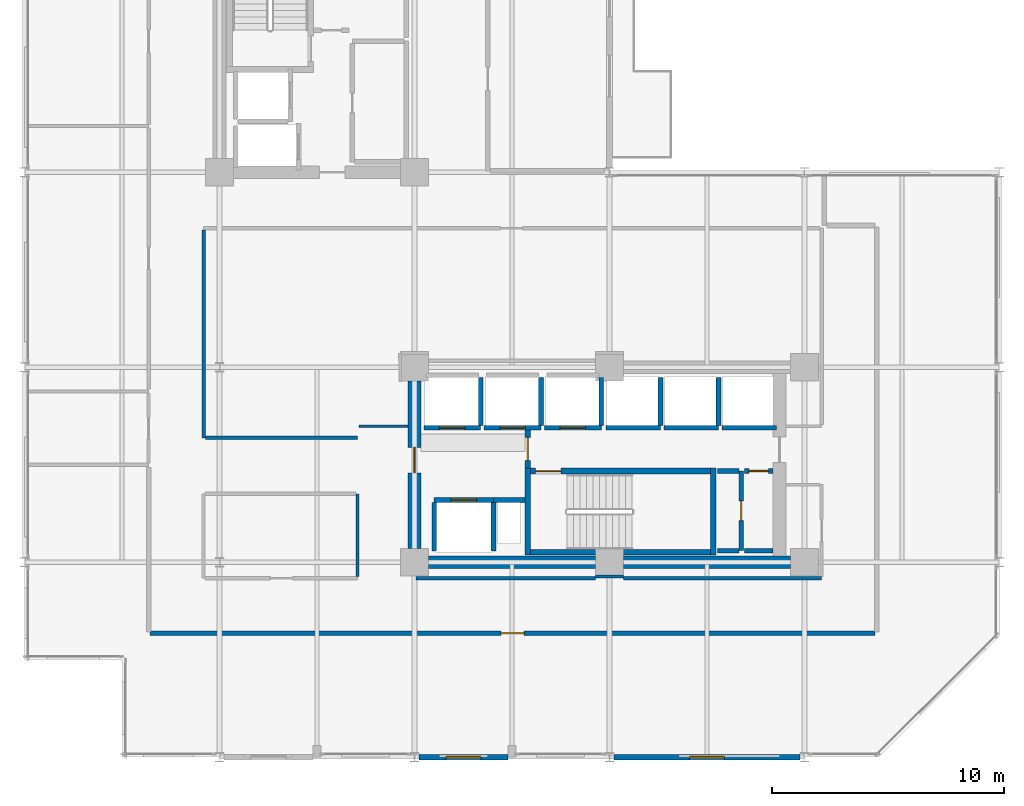
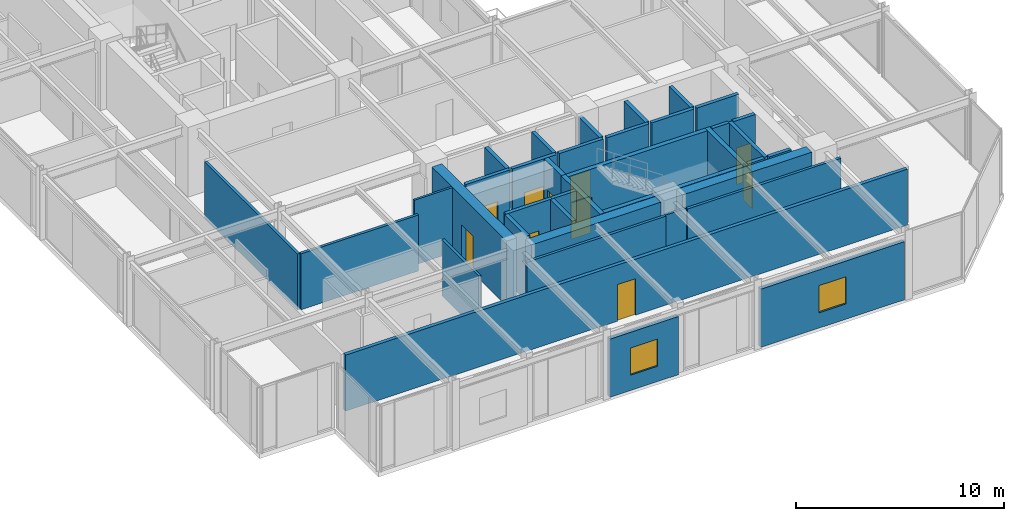
# One storey, part 24 of 29: 38 walls, 10 doors, 2 windows, 12 openings.
"""IFC4 building model written with IfcOpenShell, lengths in metres."""

from ifc_helpers import new_model, si_unit, direction, frame, frame_2d, origin, place, context, subcontext, project, spatial, rectangle, extrude, material, layer, layer_set, type_object, element, fill, save


model = new_model("IFC4")

# Units and contexts
model_context = context("Model", 3, precision=1e-05, world=origin(), true_north=direction((0.0, 1.0)))
body_context = subcontext(model_context, "Body", "Model", "MODEL_VIEW")
ifc_project = project(units=[si_unit("LENGTHUNIT", "METRE"), si_unit("AREAUNIT", "SQUARE_METRE"), si_unit("VOLUMEUNIT", "CUBIC_METRE"), si_unit("PLANEANGLEUNIT", "RADIAN"), si_unit("MASSUNIT", "GRAM", prefix="KILO")], contexts=[model_context])

# Site, building, storey
site_placement = place(None, origin())
site = spatial("IfcSite", under=ifc_project, at=site_placement, CompositionType="ELEMENT")
building_placement = place(site_placement, origin())
building = spatial("IfcBuilding", under=site, at=building_placement, Name="Nerrivon Quay Data Exchange", CompositionType="ELEMENT")
storey_placement = place(building_placement, frame((0.0, 0.0, 133.60009765625)))
storey = spatial("IfcBuildingStorey", under=building, at=storey_placement, Name="L31", CompositionType="ELEMENT", Elevation=133.60009765625)

# Wall, opening, window
ifc_material_1 = material(Name="Architectural terracotta precast concrete N50 (50 MPa)", Category="masonry")
ifc_layer_1 = layer(ifc_material_1, 0.239990234375)
ifc_layer_set_1 = layer_set([ifc_layer_1], Name="Architectural terracotta precast concrete N50 (50 MPa)")
wall_type_1 = type_object("IfcWallType", Name="EW-PREC-240", PredefinedType="STANDARD", material=ifc_layer_set_1)
wall_1_placement = place(storey_placement, frame((33.39990234375, 0.0, 0.0), z_axis=(0.0, 0.0, 1.0), x_axis=(-1.0, 0.0, 0.0)))
wall_1 = element("IfcWall", 1, at=wall_1_placement, inside=storey, type_object=wall_type_1, Name="L31 Podium Precast Spandrel Wall 3", PredefinedType="STANDARD", context=body_context, shape_type="SweptSolid", body=[
    extrude(rectangle(XDim=8.0, YDim=0.239990234375, at=frame_2d((4.0, 0.0))), origin(), (0.0, 0.0, 1.0), 3.421875),
])
opening_1_placement = place(wall_1_placement, frame((3.25, 0.0, 0.89990234375)))
opening_1 = element("IfcOpeningElement", 2, at=opening_1_placement, cuts=wall_1, Name="Opening WN4", PredefinedType="OPENING", context=body_context, shape_type="SweptSolid", body=[
    extrude(rectangle(XDim=1.5, YDim=1.60009765625, at=frame_2d((0.75, 0.800048828125))), frame((0.0, 0.1298828125, 0.0), z_axis=(0.0, -1.0, 0.0), x_axis=(1.0, 0.0, 0.0)), (0.0, 0.0, 1.0), 0.260009765625),
])
ifc_material_2 = material(Name="Double-glazed low-E solar control glass", Category="glass")
window_type = type_object("IfcWindowType", Name="WIN-W4-1500x1600", PartitioningType="SINGLE_PANEL", PredefinedType="WINDOW", material=ifc_material_2)
window_1_placement = place(opening_1_placement, origin())
window_1 = element("IfcWindow", 3, at=window_1_placement, inside=storey, type_object=window_type, Name="L31 Solar Facade Window 3", OverallHeight=1.60009765625, OverallWidth=1.5, PartitioningType="SINGLE_PANEL", PredefinedType="WINDOW", context=body_context, shape_type="SweptSolid", body=[
    extrude(rectangle(XDim=1.5, YDim=1.60009765625, at=frame_2d((0.75, 0.800048828125))), frame((0.0, 0.030029296875, 0.0), z_axis=(0.0, -1.0, 0.0), x_axis=(1.0, 0.0, 0.0)), (0.0, 0.0, 1.0), 0.06005859375),
])
fill(opening_1, window_1)

wall_2_placement = place(storey_placement, frame((20.824951171875, 0.0, 0.0), z_axis=(0.0, 0.0, 1.0), x_axis=(-1.0, 0.0, 0.0)))
wall_2 = element("IfcWall", 4, at=wall_2_placement, inside=storey, type_object=wall_type_1, Name="L31 Podium Precast Spandrel Wall 5", PredefinedType="STANDARD", context=body_context, shape_type="SweptSolid", body=[
    extrude(rectangle(XDim=3.824951171875, YDim=0.239990234375, at=frame_2d((1.91259765625, 0.0))), origin(), (0.0, 0.0, 1.0), 3.421875),
])
opening_2_placement = place(wall_2_placement, frame((1.16259765625, 0.0, 0.89990234375)))
opening_2 = element("IfcOpeningElement", 5, at=opening_2_placement, cuts=wall_2, Name="Opening WN4", PredefinedType="OPENING", context=body_context, shape_type="SweptSolid", body=[
    extrude(rectangle(XDim=1.5, YDim=1.60009765625, at=frame_2d((0.75, 0.800048828125))), frame((0.0, 0.1298828125, 0.0), z_axis=(0.0, -1.0, 0.0), x_axis=(1.0, 0.0, 0.0)), (0.0, 0.0, 1.0), 0.260009765625),
])
window_2_placement = place(opening_2_placement, origin())
window_2 = element("IfcWindow", 6, at=window_2_placement, inside=storey, type_object=window_type, Name="L31 Solar Facade Window 5", OverallHeight=1.60009765625, OverallWidth=1.5, PartitioningType="SINGLE_PANEL", PredefinedType="WINDOW", context=body_context, shape_type="SweptSolid", body=[
    extrude(rectangle(XDim=1.5, YDim=1.60009765625, at=frame_2d((0.75, 0.800048828125))), frame((0.0, 0.030029296875, 0.0), z_axis=(0.0, -1.0, 0.0), x_axis=(1.0, 0.0, 0.0)), (0.0, 0.0, 1.0), 0.06005859375),
])
fill(opening_2, window_2)

# Walls
ifc_material_3 = material(Name="Concrete S65 (65 MPa)", Category="concrete")
ifc_layer_2 = layer(ifc_material_3, 0.550048828125)
ifc_layer_set_2 = layer_set([ifc_layer_2], Name="Concrete S65 (65 MPa)")
wall_type_2 = type_object("IfcWallType", Name="WALL-CW-700", PredefinedType="SHEAR", material=ifc_layer_set_2)
wall_3_placement = place(storey_placement, frame((17.39990234375, 8.39990234375, 0.0), z_axis=(0.0, 0.0, 1.0), x_axis=(1.0, 0.0, 0.0)))
element("IfcWall", 7, at=wall_3_placement, inside=storey, type_object=wall_type_2, Name="L31 East Split-Core Shear Wall ECW-S1", PredefinedType="SHEAR", context=body_context, shape_type="SweptSolid", body=[
    extrude(rectangle(XDim=7.2001953125, YDim=0.550048828125, at=frame_2d((3.60009765625, 0.0))), origin(), (0.0, 0.0, 1.0), 3.824951171875),
])
wall_4_placement = place(storey_placement, frame((25.800048828125, 8.39990234375, 0.0), z_axis=(0.0, 0.0, 1.0), x_axis=(1.0, 0.0, 0.0)))
element("IfcWall", 8, at=wall_4_placement, inside=storey, type_object=wall_type_2, Name="L31 East Split-Core Shear Wall ECW-S2", PredefinedType="SHEAR", context=body_context, shape_type="SweptSolid", body=[
    extrude(rectangle(XDim=7.199951171875, YDim=0.550048828125, at=frame_2d((3.60009765625, 0.0))), origin(), (0.0, 0.0, 1.0), 3.824951171875),
])

# Wall, opening, door
wall_5_placement = place(storey_placement, frame((16.800048828125, 9.0, 0.0), z_axis=(0.0, 0.0, 1.0), x_axis=(0.0, 1.0, 0.0)))
wall_5 = element("IfcWall", 9, at=wall_5_placement, inside=storey, type_object=wall_type_2, Name="L31 East Split-Core Shear Wall ECW-W1", PredefinedType="SHEAR", context=body_context, shape_type="SweptSolid", body=[
    extrude(rectangle(XDim=7.199951171875, YDim=0.550048828125, at=frame_2d((3.60009765625, 0.0))), origin(), (0.0, 0.0, 1.0), 3.824951171875),
])
opening_3_placement = place(wall_5_placement, frame((3.25, 0.0, 0.0)))
opening_3 = element("IfcOpeningElement", 10, at=opening_3_placement, cuts=wall_5, Name="Opening FD-120", PredefinedType="OPENING", context=body_context, shape_type="SweptSolid", body=[
    extrude(rectangle(XDim=1.10009765625, YDim=2.14990234375, at=frame_2d((0.550048828125, 1.074951171875))), frame((0.0, 0.284912109375, 0.0), z_axis=(0.0, -1.0, 0.0), x_axis=(1.0, 0.0, 0.0)), (0.0, 0.0, 1.0), 0.570068359375),
])
ifc_material_4 = material(Name="Powder-coated galvanized steel sheet", Category="steel")
door_type_1 = type_object("IfcDoorType", Name="DR-FD120-1100", OperationType="NOTDEFINED", PredefinedType="DOOR", material=ifc_material_4)
door_1_placement = place(opening_3_placement, origin())
door_1 = element("IfcDoor", 11, at=door_1_placement, inside=storey, type_object=door_type_1, Name="L31 East Core Lobby Fire Door", OperationType="SINGLE_SWING_RIGHT", OverallHeight=2.14990234375, OverallWidth=1.10009765625, PredefinedType="DOOR", context=body_context, shape_type="SweptSolid", body=[
    extrude(rectangle(XDim=1.10009765625, YDim=2.14990234375, at=frame_2d((0.550048828125, 1.074951171875))), frame((0.0, 0.02490234375, 0.0), z_axis=(0.0, -1.0, 0.0), x_axis=(1.0, 0.0, 0.0)), (0.0, 0.0, 1.0), 0.050048828125),
])
fill(opening_3, door_1)

# Wall
ifc_material_5 = material(Name="Gypsum plasterboard on cold-formed framing", Category="gypsum")
ifc_layer_3 = layer(ifc_material_5, 0.199951171875)
ifc_layer_set_3 = layer_set([ifc_layer_3], Name="Gypsum plasterboard on cold-formed framing")
wall_type_3 = type_object("IfcWallType", Name="WALL-FW-200", PredefinedType="PARTITIONING", material=ifc_layer_set_3)
wall_6_placement = place(storey_placement, frame((20.199951171875, 11.080078125, 0.0), z_axis=(0.0, 0.0, 1.0), x_axis=(1.0, 0.0, 0.0)))
element("IfcWall", 12, at=wall_6_placement, inside=storey, type_object=wall_type_3, Name="L31 East Core MEP Riser Shaft Wall N", PredefinedType="PARTITIONING", context=body_context, shape_type="SweptSolid", body=[
    extrude(rectangle(XDim=1.35009765625, YDim=0.199951171875, at=frame_2d((0.675048828125, 0.0))), origin(), (0.0, 0.0, 1.0), 3.824951171875),
])

# Wall, opening, door
wall_7_placement = place(storey_placement, frame((17.64990234375, 11.080078125, 0.0), z_axis=(0.0, 0.0, 1.0), x_axis=(1.0, 0.0, 0.0)))
wall_7 = element("IfcWall", 13, at=wall_7_placement, inside=storey, type_object=wall_type_3, Name="L31 Lift Front Wall FFL-2", PredefinedType="PARTITIONING", context=body_context, shape_type="SweptSolid", body=[
    extrude(rectangle(XDim=2.550048828125, YDim=0.199951171875, at=frame_2d((1.27490234375, 0.0))), origin(), (0.0, 0.0, 1.0), 3.824951171875),
])
opening_4_placement = place(wall_7_placement, frame((0.72509765625, 0.0, 0.0)))
opening_4 = element("IfcOpeningElement", 14, at=opening_4_placement, cuts=wall_7, Name="Opening LD-120", PredefinedType="OPENING", context=body_context, shape_type="SweptSolid", body=[
    extrude(rectangle(XDim=1.10009765625, YDim=2.199951171875, at=frame_2d((0.550048828125, 1.10009765625))), frame((0.0, 0.10986328125, 0.0), z_axis=(0.0, -1.0, 0.0), x_axis=(1.0, 0.0, 0.0)), (0.0, 0.0, 1.0), 0.219970703125),
])
door_type_2 = type_object("IfcDoorType", Name="DR-LIFT-LD120", OperationType="DOUBLE_DOOR_SLIDING", PredefinedType="DOOR", material=ifc_material_4)
door_2_placement = place(opening_4_placement, origin())
door_2 = element("IfcDoor", 15, at=door_2_placement, inside=storey, type_object=door_type_2, Name="L31 Lift Landing Sliding Door FFL-2", OperationType="DOUBLE_DOOR_SLIDING", OverallHeight=2.199951171875, OverallWidth=1.10009765625, PredefinedType="DOOR", context=body_context, shape_type="SweptSolid", body=[
    extrude(rectangle(XDim=1.10009765625, YDim=2.199951171875, at=frame_2d((0.550048828125, 1.10009765625))), frame((0.0, 0.02490234375, 0.0), z_axis=(0.0, -1.0, 0.0), x_axis=(1.0, 0.0, 0.0)), (0.0, 0.0, 1.0), 0.050048828125),
])
fill(opening_4, door_2)

# Walls
for number, where, z_axis, x_axis, name in (
    (16, (20.199951171875, 8.8798828125, 0.0), (0.0, 0.0, 1.0), (0.0, 1.0, 0.0), "L31 Lift Shaft Wall FFL-2 EAST"),
    (17, (17.64990234375, 8.8798828125, 0.0), (0.0, 0.0, 1.0), (0.0, 1.0, 0.0), "L31 Lift Shaft Wall FFL-2 WEST"),
):
    element("IfcWall", number, at=place(storey_placement, frame(where, z_axis=z_axis, x_axis=x_axis)), inside=storey, type_object=wall_type_3, Name=name, PredefinedType="PARTITIONING", context=body_context, shape_type="SweptSolid", body=[
        extrude(rectangle(XDim=2.10009765625, YDim=0.199951171875, at=frame_2d((1.050048828125, 0.0))), origin(), (0.0, 0.0, 1.0), 3.824951171875),
    ])

# Wall, opening, door
wall_8_placement = place(storey_placement, frame((17.199951171875, 14.199951171875, 0.0), z_axis=(0.0, 0.0, 1.0), x_axis=(1.0, 0.0, 0.0)))
wall_8 = element("IfcWall", 18, at=wall_8_placement, inside=storey, type_object=wall_type_3, Name="L31 Lift Front Wall PL4", PredefinedType="PARTITIONING", context=body_context, shape_type="SweptSolid", body=[
    extrude(rectangle(XDim=2.449951171875, YDim=0.199951171875, at=frame_2d((1.22509765625, 0.0))), origin(), (0.0, 0.0, 1.0), 3.824951171875),
])
opening_5_placement = place(wall_8_placement, frame((0.675048828125, 0.0, 0.0)))
opening_5 = element("IfcOpeningElement", 19, at=opening_5_placement, cuts=wall_8, Name="Opening LD-120", PredefinedType="OPENING", context=body_context, shape_type="SweptSolid", body=[
    extrude(rectangle(XDim=1.10009765625, YDim=2.199951171875, at=frame_2d((0.550048828125, 1.10009765625))), frame((0.0, 0.10986328125, 0.0), z_axis=(0.0, -1.0, 0.0), x_axis=(1.0, 0.0, 0.0)), (0.0, 0.0, 1.0), 0.219970703125),
])
door_3_placement = place(opening_5_placement, origin())
door_3 = element("IfcDoor", 20, at=door_3_placement, inside=storey, type_object=door_type_2, Name="L31 Lift Landing Sliding Door PL4", OperationType="DOUBLE_DOOR_SLIDING", OverallHeight=2.199951171875, OverallWidth=1.10009765625, PredefinedType="DOOR", context=body_context, shape_type="SweptSolid", body=[
    extrude(rectangle(XDim=1.10009765625, YDim=2.199951171875, at=frame_2d((0.550048828125, 1.10009765625))), frame((0.0, 0.02490234375, 0.0), z_axis=(0.0, -1.0, 0.0), x_axis=(1.0, 0.0, 0.0)), (0.0, 0.0, 1.0), 0.050048828125),
])
fill(opening_5, door_3)

# Wall
wall_9_placement = place(storey_placement, frame((19.64990234375, 14.300048828125, 0.0), z_axis=(0.0, 0.0, 1.0), x_axis=(0.0, 1.0, 0.0)))
element("IfcWall", 21, at=wall_9_placement, inside=storey, type_object=wall_type_3, Name="L31 Lift Shaft Wall PL4 EAST", PredefinedType="PARTITIONING", context=body_context, shape_type="SweptSolid", body=[
    extrude(rectangle(XDim=2.050048828125, YDim=0.199951171875, at=frame_2d((1.02490234375, 0.0))), origin(), (0.0, 0.0, 1.0), 3.824951171875),
])

# Wall, opening, door
wall_10_placement = place(storey_placement, frame((19.800048828125, 14.199951171875, 0.0), z_axis=(0.0, 0.0, 1.0), x_axis=(1.0, 0.0, 0.0)))
wall_10 = element("IfcWall", 22, at=wall_10_placement, inside=storey, type_object=wall_type_3, Name="L31 Lift Front Wall PL5", PredefinedType="PARTITIONING", context=body_context, shape_type="SweptSolid", body=[
    extrude(rectangle(XDim=2.449951171875, YDim=0.199951171875, at=frame_2d((1.22509765625, 0.0))), origin(), (0.0, 0.0, 1.0), 3.824951171875),
])
opening_6_placement = place(wall_10_placement, frame((0.675048828125, 0.0, 0.0)))
opening_6 = element("IfcOpeningElement", 23, at=opening_6_placement, cuts=wall_10, Name="Opening LD-120", PredefinedType="OPENING", context=body_context, shape_type="SweptSolid", body=[
    extrude(rectangle(XDim=1.10009765625, YDim=2.199951171875, at=frame_2d((0.550048828125, 1.10009765625))), frame((0.0, 0.10986328125, 0.0), z_axis=(0.0, -1.0, 0.0), x_axis=(1.0, 0.0, 0.0)), (0.0, 0.0, 1.0), 0.219970703125),
])
door_4_placement = place(opening_6_placement, origin())
door_4 = element("IfcDoor", 24, at=door_4_placement, inside=storey, type_object=door_type_2, Name="L31 Lift Landing Sliding Door PL5", OperationType="DOUBLE_DOOR_SLIDING", OverallHeight=2.199951171875, OverallWidth=1.10009765625, PredefinedType="DOOR", context=body_context, shape_type="SweptSolid", body=[
    extrude(rectangle(XDim=1.10009765625, YDim=2.199951171875, at=frame_2d((0.550048828125, 1.10009765625))), frame((0.0, 0.02490234375, 0.0), z_axis=(0.0, -1.0, 0.0), x_axis=(1.0, 0.0, 0.0)), (0.0, 0.0, 1.0), 0.050048828125),
])
fill(opening_6, door_4)

# Wall
wall_11_placement = place(storey_placement, frame((22.25, 14.300048828125, 0.0), z_axis=(0.0, 0.0, 1.0), x_axis=(0.0, 1.0, 0.0)))
element("IfcWall", 25, at=wall_11_placement, inside=storey, type_object=wall_type_3, Name="L31 Lift Shaft Wall PL5 EAST", PredefinedType="PARTITIONING", context=body_context, shape_type="SweptSolid", body=[
    extrude(rectangle(XDim=2.050048828125, YDim=0.199951171875, at=frame_2d((1.02490234375, 0.0))), origin(), (0.0, 0.0, 1.0), 3.824951171875),
])

# Wall, opening, door
wall_12_placement = place(storey_placement, frame((22.39990234375, 14.199951171875, 0.0), z_axis=(0.0, 0.0, 1.0), x_axis=(1.0, 0.0, 0.0)))
wall_12 = element("IfcWall", 26, at=wall_12_placement, inside=storey, type_object=wall_type_3, Name="L31 Lift Front Wall PL6", PredefinedType="PARTITIONING", context=body_context, shape_type="SweptSolid", body=[
    extrude(rectangle(XDim=2.4501953125, YDim=0.199951171875, at=frame_2d((1.22509765625, 0.0))), origin(), (0.0, 0.0, 1.0), 3.824951171875),
])
opening_7_placement = place(wall_12_placement, frame((0.675048828125, 0.0, 0.0)))
opening_7 = element("IfcOpeningElement", 27, at=opening_7_placement, cuts=wall_12, Name="Opening LD-120", PredefinedType="OPENING", context=body_context, shape_type="SweptSolid", body=[
    extrude(rectangle(XDim=1.10009765625, YDim=2.199951171875, at=frame_2d((0.550048828125, 1.10009765625))), frame((0.0, 0.10986328125, 0.0), z_axis=(0.0, -1.0, 0.0), x_axis=(1.0, 0.0, 0.0)), (0.0, 0.0, 1.0), 0.219970703125),
])
door_5_placement = place(opening_7_placement, origin())
door_5 = element("IfcDoor", 28, at=door_5_placement, inside=storey, type_object=door_type_2, Name="L31 Lift Landing Sliding Door PL6", OperationType="DOUBLE_DOOR_SLIDING", OverallHeight=2.199951171875, OverallWidth=1.10009765625, PredefinedType="DOOR", context=body_context, shape_type="SweptSolid", body=[
    extrude(rectangle(XDim=1.10009765625, YDim=2.199951171875, at=frame_2d((0.550048828125, 1.10009765625))), frame((0.0, 0.02490234375, 0.0), z_axis=(0.0, -1.0, 0.0), x_axis=(1.0, 0.0, 0.0)), (0.0, 0.0, 1.0), 0.050048828125),
])
fill(opening_7, door_5)

# Walls
wall_13_placement = place(storey_placement, frame((24.85009765625, 14.300048828125, 0.0), z_axis=(0.0, 0.0, 1.0), x_axis=(0.0, 1.0, 0.0)))
element("IfcWall", 29, at=wall_13_placement, inside=storey, type_object=wall_type_3, Name="L31 Lift Shaft Wall PL6 EAST", PredefinedType="PARTITIONING", context=body_context, shape_type="SweptSolid", body=[
    extrude(rectangle(XDim=2.050048828125, YDim=0.199951171875, at=frame_2d((1.02490234375, 0.0))), origin(), (0.0, 0.0, 1.0), 3.824951171875),
])
wall_14_placement = place(storey_placement, frame((25.050048828125, 14.199951171875, 0.0), z_axis=(0.0, 0.0, 1.0), x_axis=(1.0, 0.0, 0.0)))
element("IfcWall", 30, at=wall_14_placement, inside=storey, type_object=wall_type_3, Name="L31 Lift Front Wall PL7", PredefinedType="PARTITIONING", context=body_context, shape_type="SweptSolid", body=[
    extrude(rectangle(XDim=2.349853515625, YDim=0.199951171875, at=frame_2d((1.1748046875, 0.0))), origin(), (0.0, 0.0, 1.0), 3.824951171875),
])
wall_15_placement = place(storey_placement, frame((27.39990234375, 14.300048828125, 0.0), z_axis=(0.0, 0.0, 1.0), x_axis=(0.0, 1.0, 0.0)))
element("IfcWall", 31, at=wall_15_placement, inside=storey, type_object=wall_type_3, Name="L31 Lift Shaft Wall PL7 EAST", PredefinedType="PARTITIONING", context=body_context, shape_type="SweptSolid", body=[
    extrude(rectangle(XDim=2.050048828125, YDim=0.199951171875, at=frame_2d((1.02490234375, 0.0))), origin(), (0.0, 0.0, 1.0), 3.824951171875),
])
wall_16_placement = place(storey_placement, frame((27.550048828125, 14.199951171875, 0.0), z_axis=(0.0, 0.0, 1.0), x_axis=(1.0, 0.0, 0.0)))
element("IfcWall", 32, at=wall_16_placement, inside=storey, type_object=wall_type_3, Name="L31 Lift Front Wall PL8", PredefinedType="PARTITIONING", context=body_context, shape_type="SweptSolid", body=[
    extrude(rectangle(XDim=2.349853515625, YDim=0.199951171875, at=frame_2d((1.1748046875, 0.0))), origin(), (0.0, 0.0, 1.0), 3.824951171875),
])
wall_17_placement = place(storey_placement, frame((29.89990234375, 14.300048828125, 0.0), z_axis=(0.0, 0.0, 1.0), x_axis=(0.0, 1.0, 0.0)))
element("IfcWall", 33, at=wall_17_placement, inside=storey, type_object=wall_type_3, Name="L31 Lift Shaft Wall PL8 EAST", PredefinedType="PARTITIONING", context=body_context, shape_type="SweptSolid", body=[
    extrude(rectangle(XDim=2.050048828125, YDim=0.199951171875, at=frame_2d((1.02490234375, 0.0))), origin(), (0.0, 0.0, 1.0), 3.824951171875),
])
wall_18_placement = place(storey_placement, frame((30.050048828125, 14.199951171875, 0.0), z_axis=(0.0, 0.0, 1.0), x_axis=(1.0, 0.0, 0.0)))
element("IfcWall", 34, at=wall_18_placement, inside=storey, type_object=wall_type_3, Name="L31 Lift Front Wall PL9", PredefinedType="PARTITIONING", context=body_context, shape_type="SweptSolid", body=[
    extrude(rectangle(XDim=2.349853515625, YDim=0.199951171875, at=frame_2d((1.1748046875, 0.0))), origin(), (0.0, 0.0, 1.0), 3.824951171875),
])

# Wall, opening, door
wall_19_placement = place(storey_placement, frame((30.8798828125, 8.89990234375, 0.0), z_axis=(0.0, 0.0, 1.0), x_axis=(0.0, 1.0, 0.0)))
wall_19 = element("IfcWall", 35, at=wall_19_placement, inside=storey, type_object=wall_type_3, Name="L31 Partition East Electrical Closet", PredefinedType="PARTITIONING", context=body_context, shape_type="SweptSolid", body=[
    extrude(rectangle(XDim=3.43017578125, YDim=0.199951171875, at=frame_2d((1.715087890625, 0.0))), origin(), (0.0, 0.0, 1.0), 3.824951171875),
])
opening_8_placement = place(wall_19_placement, frame((1.2900390625, 0.0, 0.0)))
opening_8 = element("IfcOpeningElement", 36, at=opening_8_placement, cuts=wall_19, Name="Opening FD-60S", PredefinedType="OPENING", context=body_context, shape_type="SweptSolid", body=[
    extrude(rectangle(XDim=0.85009765625, YDim=2.14990234375, at=frame_2d((0.425048828125, 1.074951171875))), frame((0.0, 0.10986328125, 0.0), z_axis=(0.0, -1.0, 0.0), x_axis=(1.0, 0.0, 0.0)), (0.0, 0.0, 1.0), 0.219970703125),
])
ifc_material_6 = material(Name="Engineered hardwood timber", Category="wood")
door_type_3 = type_object("IfcDoorType", Name="DR-FD60-850", OperationType="NOTDEFINED", PredefinedType="DOOR", material=ifc_material_6)
door_6_placement = place(opening_8_placement, origin())
door_6 = element("IfcDoor", 37, at=door_6_placement, inside=storey, type_object=door_type_3, Name="L31 Door East Electrical Closet", OperationType="SINGLE_SWING_LEFT", OverallHeight=2.14990234375, OverallWidth=0.85009765625, PredefinedType="DOOR", context=body_context, shape_type="SweptSolid", body=[
    extrude(rectangle(XDim=0.85009765625, YDim=2.14990234375, at=frame_2d((0.425048828125, 1.074951171875))), frame((0.0, 0.02490234375, 0.0), z_axis=(0.0, -1.0, 0.0), x_axis=(1.0, 0.0, 0.0)), (0.0, 0.0, 1.0), 0.050048828125),
])
fill(opening_8, door_6)

# Walls
for number, where, z_axis, x_axis, name in (
    (38, (30.77587890625, 12.330078125, 0.0), (0.0, 0.0, 1.0), (-1.0, 0.0, 0.0), "L31 Partition East Electrical Closet"),
    (39, (29.85009765625, 8.89990234375, 0.0), (0.0, 0.0, 1.0), (1.0, 0.0, 0.0), "L31 Partition East Electrical Closet"),
):
    element("IfcWall", number, at=place(storey_placement, frame(where, z_axis=z_axis, x_axis=x_axis)), inside=storey, type_object=wall_type_3, Name=name, PredefinedType="PARTITIONING", context=body_context, shape_type="SweptSolid", body=[
        extrude(rectangle(XDim=0.92578125, YDim=0.199951171875, at=frame_2d((0.462890625, 0.0))), origin(), (0.0, 0.0, 1.0), 3.824951171875),
    ])

# Wall, opening, door
wall_20_placement = place(storey_placement, frame((32.24609375, 12.330078125, 0.0), z_axis=(0.0, 0.0, 1.0), x_axis=(-1.0, 0.0, 0.0)))
wall_20 = element("IfcWall", 40, at=wall_20_placement, inside=storey, type_object=wall_type_3, Name="L31 Partition East Cleaners Store", PredefinedType="PARTITIONING", context=body_context, shape_type="SweptSolid", body=[
    extrude(rectangle(XDim=1.22607421875, YDim=0.199951171875, at=frame_2d((0.613037109375, 0.0))), origin(), (0.0, 0.0, 1.0), 3.824951171875),
])
opening_9_placement = place(wall_20_placement, frame((0.18798828125, 0.0, 0.0)))
opening_9 = element("IfcOpeningElement", 41, at=opening_9_placement, cuts=wall_20, Name="Opening FD-60S", PredefinedType="OPENING", context=body_context, shape_type="SweptSolid", body=[
    extrude(rectangle(XDim=0.85009765625, YDim=2.14990234375, at=frame_2d((0.425048828125, 1.074951171875))), frame((0.0, 0.10986328125, 0.0), z_axis=(0.0, -1.0, 0.0), x_axis=(1.0, 0.0, 0.0)), (0.0, 0.0, 1.0), 0.219970703125),
])
door_7_placement = place(opening_9_placement, origin())
door_7 = element("IfcDoor", 42, at=door_7_placement, inside=storey, type_object=door_type_3, Name="L31 Door East Cleaners Store", OperationType="SINGLE_SWING_RIGHT", OverallHeight=2.14990234375, OverallWidth=0.85009765625, PredefinedType="DOOR", context=body_context, shape_type="SweptSolid", body=[
    extrude(rectangle(XDim=0.85009765625, YDim=2.14990234375, at=frame_2d((0.425048828125, 1.074951171875))), frame((0.0, 0.02490234375, 0.0), z_axis=(0.0, -1.0, 0.0), x_axis=(1.0, 0.0, 0.0)), (0.0, 0.0, 1.0), 0.050048828125),
])
fill(opening_9, door_7)

# Wall
wall_21_placement = place(storey_placement, frame((31.02001953125, 8.89990234375, 0.0), z_axis=(0.0, 0.0, 1.0), x_axis=(1.0, 0.0, 0.0)))
element("IfcWall", 43, at=wall_21_placement, inside=storey, type_object=wall_type_3, Name="L31 Partition East Cleaners Store", PredefinedType="PARTITIONING", context=body_context, shape_type="SweptSolid", body=[
    extrude(rectangle(XDim=1.22607421875, YDim=0.199951171875, at=frame_2d((0.613037109375, 0.0))), origin(), (0.0, 0.0, 1.0), 3.824951171875),
])

# Wall, opening, door
wall_22_placement = place(storey_placement, frame((36.64990234375, 5.340087890625, 0.0), z_axis=(0.0, 0.0, 1.0), x_axis=(-1.0, 0.0, 0.0)))
wall_22 = element("IfcWall", 44, at=wall_22_placement, inside=storey, type_object=wall_type_3, Name="L31 Partition Colocation Data Workspace 1", PredefinedType="PARTITIONING", context=body_context, shape_type="SweptSolid", body=[
    extrude(rectangle(XDim=31.25, YDim=0.199951171875, at=frame_2d((15.625, 0.0))), origin(), (0.0, 0.0, 1.0), 3.296875),
])
opening_10_placement = place(wall_22_placement, frame((15.125, 0.0, 0.0)))
opening_10 = element("IfcOpeningElement", 45, at=opening_10_placement, cuts=wall_22, Name="Opening FD-60", PredefinedType="OPENING", context=body_context, shape_type="SweptSolid", body=[
    extrude(rectangle(XDim=1.0, YDim=2.14990234375, at=frame_2d((0.5, 1.074951171875))), frame((0.0, 0.10986328125, 0.0), z_axis=(0.0, -1.0, 0.0), x_axis=(1.0, 0.0, 0.0)), (0.0, 0.0, 1.0), 0.219970703125),
])
door_type_4 = type_object("IfcDoorType", Name="DR-FD60-1000", OperationType="NOTDEFINED", PredefinedType="DOOR", material=ifc_material_6)
door_8_placement = place(opening_10_placement, origin())
door_8 = element("IfcDoor", 46, at=door_8_placement, inside=storey, type_object=door_type_4, Name="L31 Door Colocation Data Workspace 1", OperationType="SINGLE_SWING_LEFT", OverallHeight=2.14990234375, OverallWidth=1.0, PredefinedType="DOOR", context=body_context, shape_type="SweptSolid", body=[
    extrude(rectangle(XDim=1.0, YDim=2.14990234375, at=frame_2d((0.5, 1.074951171875))), frame((0.0, 0.02490234375, 0.0), z_axis=(0.0, -1.0, 0.0), x_axis=(1.0, 0.0, 0.0)), (0.0, 0.0, 1.0), 0.050048828125),
])
fill(opening_10, door_8)

# Walls
ifc_layer_4 = layer(ifc_material_5, 0.1201171875)
ifc_layer_set_4 = layer_set([ifc_layer_4], Name="Gypsum plasterboard on cold-formed framing")
wall_type_4 = type_object("IfcWallType", Name="WALL-PT-120", PredefinedType="PARTITIONING", material=ifc_layer_set_4)
wall_23_placement = place(storey_placement, frame((25.805908203125, 7.781005859375, 0.0), z_axis=(0.0, 0.0, 1.0), x_axis=(-0.999999672047, -0.000809880277, 0.0)))
element("IfcWall", 47, at=wall_23_placement, inside=storey, type_object=wall_type_4, Name="L31 Partition Staff Pantry", PredefinedType="PARTITIONING", context=body_context, shape_type="SweptSolid", body=[
    extrude(rectangle(XDim=1.205810546875, YDim=0.1201171875, at=frame_2d((0.60302734375, 0.0))), origin(), (0.0, 0.0, 1.0), 3.296875),
])
wall_24_placement = place(storey_placement, frame((14.39990234375, 14.260009765625, 0.0), z_axis=(0.0, 0.0, 1.0), x_axis=(1.0, 0.0, 0.0)))
element("IfcWall", 48, at=wall_24_placement, inside=storey, type_object=wall_type_4, Name="L31 Partition Peering Huddle Meeting Room", PredefinedType="PARTITIONING", context=body_context, shape_type="SweptSolid", body=[
    extrude(rectangle(XDim=2.12109375, YDim=0.1201171875, at=frame_2d((1.060546875, 0.0))), origin(), (0.0, 0.0, 1.0), 3.824951171875),
])
ifc_layer_5 = layer(ifc_material_5, 0.135009765625)
ifc_layer_set_5 = layer_set([ifc_layer_5], Name="Gypsum plasterboard on cold-formed framing")
wall_type_5 = type_object("IfcWallType", Name="WALL-PT-135", PredefinedType="PARTITIONING", material=ifc_layer_set_5)
wall_25_placement = place(storey_placement, frame((14.340087890625, 7.7890625, 0.0), z_axis=(0.0, 0.0, 1.0), x_axis=(0.0, 1.0, 0.0)))
element("IfcWall", 49, at=wall_25_placement, inside=storey, type_object=wall_type_5, Name="L31 Partition Client Conference Room 1", PredefinedType="PARTITIONING", context=body_context, shape_type="SweptSolid", body=[
    extrude(rectangle(XDim=3.551025390625, YDim=0.135009765625, at=frame_2d((1.775390625, 0.0))), origin(), (0.0, 0.0, 1.0), 3.2919921875),
])
ifc_layer_6 = layer(ifc_material_5, 0.14990234375)
ifc_layer_set_6 = layer_set([ifc_layer_6], Name="Gypsum plasterboard on cold-formed framing")
wall_type_6 = type_object("IfcWallType", Name="WALL-PT-150", PredefinedType="PARTITIONING", material=ifc_layer_set_6)
wall_26_placement = place(storey_placement, frame((16.860107421875, 7.7099609375, 0.0), z_axis=(0.0, 0.0, 1.0), x_axis=(1.0, 0.0, 0.0)))
element("IfcWall", 50, at=wall_26_placement, inside=storey, type_object=wall_type_6, Name="L31 Partition Staff Pantry", PredefinedType="PARTITIONING", context=body_context, shape_type="SweptSolid", body=[
    extrude(rectangle(XDim=7.739990234375, YDim=0.14990234375, at=frame_2d((3.8701171875, 0.0))), origin(), (0.0, 0.0, 1.0), 3.296875),
])
wall_27_placement = place(storey_placement, frame((25.805908203125, 7.7099609375, 0.0), z_axis=(0.0, 0.0, 1.0), x_axis=(1.0, 0.0, 0.0)))
element("IfcWall", 51, at=wall_27_placement, inside=storey, type_object=wall_type_6, Name="L31 Partition Staff Pantry", PredefinedType="PARTITIONING", context=body_context, shape_type="SweptSolid", body=[
    extrude(rectangle(XDim=8.5341796875, YDim=0.14990234375, at=frame_2d((4.26708984375, 0.0))), origin(), (0.0, 0.0, 1.0), 3.296875),
])
wall_28_placement = place(storey_placement, frame((7.7099609375, 22.7109375, 0.0), z_axis=(0.0, 0.0, 1.0), x_axis=(0.0, -1.0, 0.0)))
element("IfcWall", 52, at=wall_28_placement, inside=storey, type_object=wall_type_6, Name="L31 Partition Peering Huddle Meeting Room", PredefinedType="PARTITIONING", context=body_context, shape_type="SweptSolid", body=[
    extrude(rectangle(XDim=8.950927734375, YDim=0.14990234375, at=frame_2d((4.4755859375, 0.0))), origin(), (0.0, 0.0, 1.0), 3.2919921875),
])
wall_29_placement = place(storey_placement, frame((7.7890625, 13.760009765625, 0.0), z_axis=(0.0, 0.0, 1.0), x_axis=(1.0, 0.0, 0.0)))
element("IfcWall", 53, at=wall_29_placement, inside=storey, type_object=wall_type_6, Name="L31 Partition Peering Huddle Meeting Room", PredefinedType="PARTITIONING", context=body_context, shape_type="SweptSolid", body=[
    extrude(rectangle(XDim=6.551025390625, YDim=0.14990234375, at=frame_2d((3.275390625, 0.0))), origin(), (0.0, 0.0, 1.0), 3.296875),
])
ifc_material_7 = material(Name="Concrete N50 (50 MPa)", Category="concrete")
ifc_layer_7 = layer(ifc_material_7, 0.25)
ifc_layer_set_7 = layer_set([ifc_layer_7], Name="Concrete N50 (50 MPa)")
wall_type_7 = type_object("IfcWallType", Name="WALL-SW-250", PredefinedType="SHEAR", material=ifc_layer_set_7)
for number, where, z_axis, x_axis, name in (
    (54, (21.675048828125, 8.699951171875, 0.0), (0.0, 0.0, 1.0), (0.0, 1.0, 0.0), "L31 ST02 Structural Stair Core Wall NEAR"),
    (55, (29.675048828125, 8.699951171875, 0.0), (0.0, 0.0, 1.0), (0.0, 1.0, 0.0), "L31 ST02 Structural Stair Core Wall FAR"),
):
    element("IfcWall", number, at=place(storey_placement, frame(where, z_axis=z_axis, x_axis=x_axis)), inside=storey, type_object=wall_type_7, Name=name, PredefinedType="SHEAR", context=body_context, shape_type="SweptSolid", body=[
        extrude(rectangle(XDim=3.75, YDim=0.25, at=frame_2d((1.875, 0.0))), origin(), (0.0, 0.0, 1.0), 3.824951171875),
    ])
wall_30_placement = place(storey_placement, frame((21.800048828125, 8.824951171875, 0.0), z_axis=(0.0, 0.0, 1.0), x_axis=(1.0, 0.0, 0.0)))
element("IfcWall", 56, at=wall_30_placement, inside=storey, type_object=wall_type_7, Name="L31 ST02 Structural Stair Core Wall LEFT", PredefinedType="SHEAR", context=body_context, shape_type="SweptSolid", body=[
    extrude(rectangle(XDim=7.75, YDim=0.25, at=frame_2d((3.875, 0.0))), origin(), (0.0, 0.0, 1.0), 3.824951171875),
])

# Wall, opening, door
wall_31_placement = place(storey_placement, frame((21.800048828125, 12.324951171875, 0.0), z_axis=(0.0, 0.0, 1.0), x_axis=(1.0, 0.0, 0.0)))
wall_31 = element("IfcWall", 57, at=wall_31_placement, inside=storey, type_object=wall_type_7, Name="L31 ST02 Structural Stair Core Wall RIGHT", PredefinedType="SHEAR", context=body_context, shape_type="SweptSolid", body=[
    extrude(rectangle(XDim=7.75, YDim=0.25, at=frame_2d((3.875, 0.0))), origin(), (0.0, 0.0, 1.0), 3.824951171875),
])
opening_11_placement = place(wall_31_placement, frame((0.219970703125, 0.0, 0.0)))
opening_11 = element("IfcOpeningElement", 58, at=opening_11_placement, cuts=wall_31, Name="Opening FD-120", PredefinedType="OPENING", context=body_context, shape_type="SweptSolid", body=[
    extrude(rectangle(XDim=1.10009765625, YDim=2.14990234375, at=frame_2d((0.550048828125, 1.074951171875))), frame((0.0, 0.135009765625, 0.0), z_axis=(0.0, -1.0, 0.0), x_axis=(1.0, 0.0, 0.0)), (0.0, 0.0, 1.0), 0.27001953125),
])
door_9_placement = place(opening_11_placement, origin())
door_9 = element("IfcDoor", 59, at=door_9_placement, inside=storey, type_object=door_type_1, Name="L31 Protected Stair Door ST02", OperationType="SINGLE_SWING_RIGHT", OverallHeight=2.14990234375, OverallWidth=1.10009765625, PredefinedType="DOOR", context=body_context, shape_type="SweptSolid", body=[
    extrude(rectangle(XDim=1.10009765625, YDim=2.14990234375, at=frame_2d((0.550048828125, 1.074951171875))), frame((0.0, 0.02490234375, 0.0), z_axis=(0.0, -1.0, 0.0), x_axis=(1.0, 0.0, 0.0)), (0.0, 0.0, 1.0), 0.050048828125),
])
fill(opening_11, door_9)

wall_32_placement = place(storey_placement, frame((21.679931640625, 12.449951171875, 0.0), z_axis=(0.0, 0.0, 1.0), x_axis=(0.0, 1.0, 0.0)))
wall_32 = element("IfcWall", 60, at=wall_32_placement, inside=storey, type_object=wall_type_7, Name="L31 East Firefighting Lobby Wall", PredefinedType="SHEAR", context=body_context, shape_type="SweptSolid", body=[
    extrude(rectangle(XDim=1.650146484375, YDim=0.25, at=frame_2d((0.8251953125, 0.0))), origin(), (0.0, 0.0, 1.0), 3.824951171875),
])
opening_12_placement = place(wall_32_placement, frame((0.324951171875, 0.0, 0.0)))
opening_12 = element("IfcOpeningElement", 61, at=opening_12_placement, cuts=wall_32, Name="Opening FD-60", PredefinedType="OPENING", context=body_context, shape_type="SweptSolid", body=[
    extrude(rectangle(XDim=1.0, YDim=2.14990234375, at=frame_2d((0.5, 1.074951171875))), frame((0.0, 0.135009765625, 0.0), z_axis=(0.0, -1.0, 0.0), x_axis=(1.0, 0.0, 0.0)), (0.0, 0.0, 1.0), 0.27001953125),
])
door_10_placement = place(opening_12_placement, origin())
door_10 = element("IfcDoor", 62, at=door_10_placement, inside=storey, type_object=door_type_4, Name="L31 East Firefighting Lobby Fire Door", OperationType="SINGLE_SWING_RIGHT", OverallHeight=2.14990234375, OverallWidth=1.0, PredefinedType="DOOR", context=body_context, shape_type="SweptSolid", body=[
    extrude(rectangle(XDim=1.0, YDim=2.14990234375, at=frame_2d((0.5, 1.074951171875))), frame((0.0, 0.02490234375, 0.0), z_axis=(0.0, -1.0, 0.0), x_axis=(1.0, 0.0, 0.0)), (0.0, 0.0, 1.0), 0.050048828125),
])
fill(opening_12, door_10)

save(model, "model.ifc")
